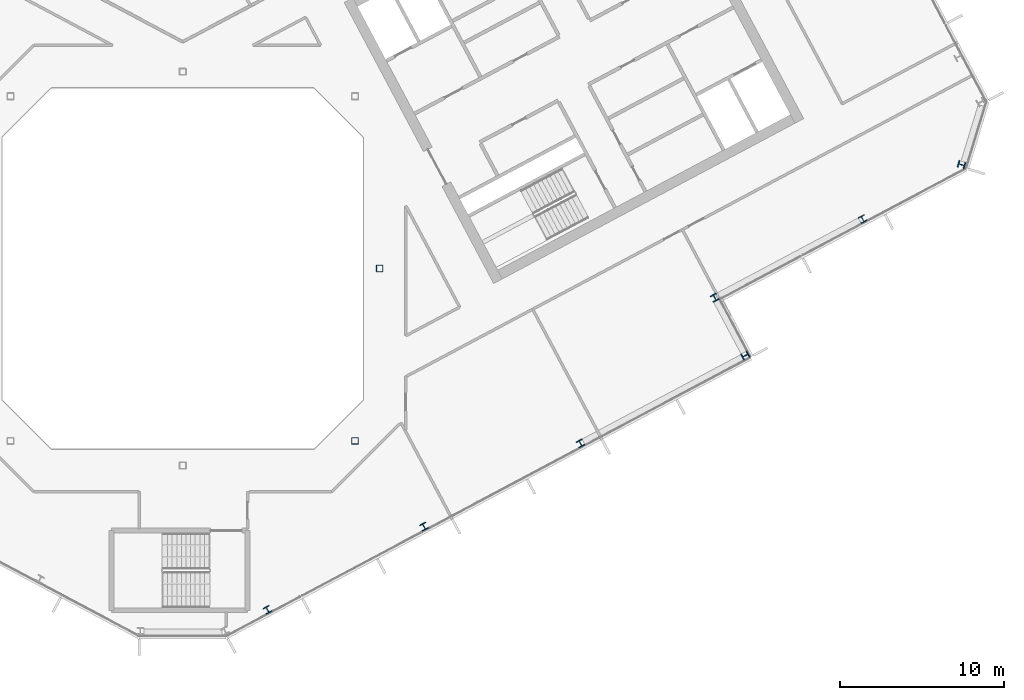
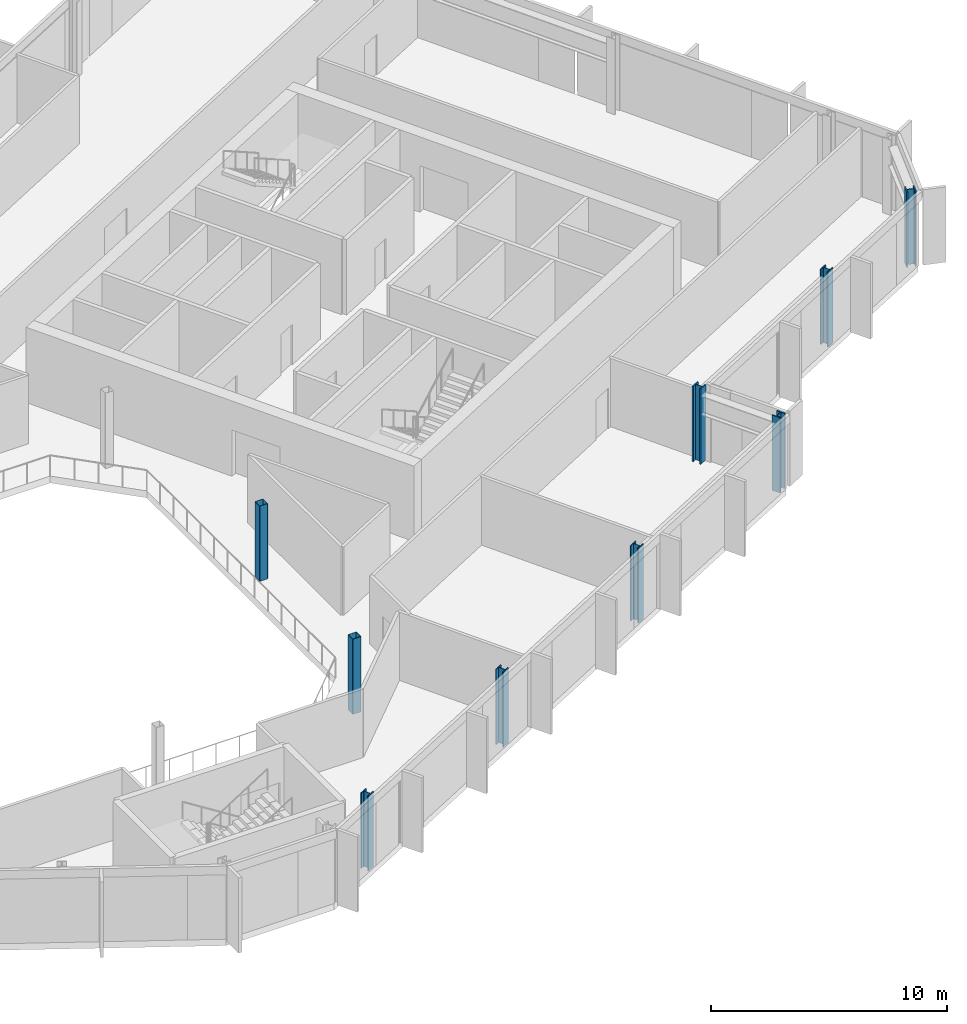
# One storey, part 5 of 27: 9 columns.
"""IFC4 building model written with IfcOpenShell, lengths in metres."""

from ifc_helpers import new_model, si_unit, direction, frame, origin, origin_2d, place, context, subcontext, project, spatial, hollow_rectangle, i_section, extrude, material, material_profile, profile_set, type_object, element, save


model = new_model("IFC4")

# Units and contexts
model_context = context("Model", 3, precision=1e-05, world=origin(), true_north=direction((0.0, 1.0)))
body_context = subcontext(model_context, "Body", "Model", "MODEL_VIEW")
ifc_project = project(units=[si_unit("LENGTHUNIT", "METRE"), si_unit("AREAUNIT", "SQUARE_METRE"), si_unit("VOLUMEUNIT", "CUBIC_METRE"), si_unit("PLANEANGLEUNIT", "RADIAN"), si_unit("MASSUNIT", "GRAM", prefix="KILO")], contexts=[model_context])

# Site, building, storey
site_placement = place(None, origin())
site = spatial("IfcSite", under=ifc_project, at=site_placement, CompositionType="ELEMENT")
building_placement = place(site_placement, origin())
building = spatial("IfcBuilding", under=site, at=building_placement, Name="Cormorant Relay Tower", CompositionType="ELEMENT")
storey_placement = place(building_placement, frame((0.0, 0.0, 224.699951171875)))
storey = spatial("IfcBuildingStorey", under=building, at=storey_placement, Name="L49", CompositionType="ELEMENT", Elevation=224.699951171875)

# Columns
ifc_material_1 = material(Name="Steel ASTM A500 Grade C (Fy 345 MPa)", Category="steel")
ifc_material_profile_1 = material_profile(ifc_material_1, hollow_rectangle(XDim=0.406494140625, YDim=0.406494140625, WallThickness=0.0146484375, InnerFilletRadius=0.00732421875, OuterFilletRadius=0.022216796875, at=origin_2d()), Name="HSS406x406x15")
ifc_profile_set_1 = profile_set([ifc_material_profile_1], Name="Steel ASTM A500 Grade C (Fy 345 MPa)")
column_type_1 = type_object("IfcColumnType", Name="Column HSS406x406x15", PredefinedType="COLUMN", material=ifc_profile_set_1)
for number, where, z_axis, x_axis, name in (
    (1, (10.5, -10.5, 0.0), (0.0, 0.0, 1.0), (1.0, 0.0, 0.0), "Column L49-010"),
    (2, (12.0, 0.0, 0.0), (0.0, 0.0, 1.0), (1.0, 0.0, 0.0), "Column L49-016"),
):
    element("IfcColumn", number, at=place(storey_placement, frame(where, z_axis=z_axis, x_axis=x_axis)), inside=storey, type_object=column_type_1, Name=name, PredefinedType="COLUMN", context=body_context, shape_type="SweptSolid", body=[
        extrude(hollow_rectangle(XDim=0.406494140625, YDim=0.406494140625, WallThickness=0.0146484375, InnerFilletRadius=0.00732421875, OuterFilletRadius=0.022216796875, at=origin_2d()), origin(), (0.0, 0.0, 1.0), 3.900146484375),
    ])
ifc_material_2 = material(Name="Steel ASTM A992 (Fy 345 MPa)", Category="steel")
ifc_material_profile_2 = material_profile(ifc_material_2, i_section(OverallWidth=0.40380859375, OverallDepth=0.406494140625, WebThickness=0.027099609375, FlangeThickness=0.043701171875, FilletRadius=0.01513671875, at=origin_2d()), Name="W360x347")
ifc_profile_set_2 = profile_set([ifc_material_profile_2], Name="Steel ASTM A992 (Fy 345 MPa)")
column_type_2 = type_object("IfcColumnType", Name="Column W360x347", PredefinedType="COLUMN", material=ifc_profile_set_2)
for number, where, z_axis, x_axis, name in (
    (3, (5.1689453125, -20.798095703125, 0.0), (0.0, 0.0, 1.0), (0.882947592859, 0.469471562786, 0.0), "Column L49-003"),
    (4, (14.705078125, -15.72705078125, 0.0), (0.0, 0.0, 1.0), (0.882947592859, 0.469471562786, 0.0), "Column L49-005"),
    (5, (24.240966796875, -10.656982421875, 0.0), (0.0, 0.0, 1.0), (0.882947592859, 0.469471562786, 0.0), "Column L49-008"),
    (6, (41.43408203125, 3.014892578125, 0.0), (0.0, 0.0, 1.0), (0.882947592859, 0.469471562786, 0.0), "Column L49-019"),
):
    element("IfcColumn", number, at=place(storey_placement, frame(where, z_axis=z_axis, x_axis=x_axis)), inside=storey, type_object=column_type_2, Name=name, PredefinedType="COLUMN", context=body_context, shape_type="SweptSolid", body=[
        extrude(i_section(OverallWidth=0.40380859375, OverallDepth=0.406494140625, WebThickness=0.027099609375, FlangeThickness=0.043701171875, FilletRadius=0.01513671875, at=origin_2d()), origin(), (0.0, 0.0, 1.0), 3.900146484375),
    ])
ifc_material_3 = material(Name="Steel ASTM A992 (Fy 345 MPa)", Category="steel")
ifc_material_profile_3 = material_profile(ifc_material_3, i_section(OverallWidth=0.41162109375, OverallDepth=0.434326171875, WebThickness=0.035888671875, FlangeThickness=0.057373046875, FilletRadius=0.01513671875, at=origin_2d()), Name="W360x463")
ifc_profile_set_3 = profile_set([ifc_material_profile_3], Name="Steel ASTM A992 (Fy 345 MPa)")
column_type_3 = type_object("IfcColumnType", Name="Column W360x463", PredefinedType="COLUMN", material=ifc_profile_set_3)
for number, where, z_axis, x_axis, name in (
    (7, (34.284912109375, -5.305908203125, 0.0), (0.0, 0.0, 1.0), (-0.469471562786, 0.882947592859, 0.0), "Column L49-012"),
    (8, (32.4169921875, -1.777099609375, 0.0), (0.0, 0.0, 1.0), (0.882947592859, 0.469471562786, 0.0), "Column L49-014"),
    (9, (47.458984375, 6.325927734375, 0.0), (0.0, 0.0, 1.0), (0.292371704723, 0.956304755963, 0.0), "Column L49-020"),
):
    element("IfcColumn", number, at=place(storey_placement, frame(where, z_axis=z_axis, x_axis=x_axis)), inside=storey, type_object=column_type_3, Name=name, PredefinedType="COLUMN", context=body_context, shape_type="SweptSolid", body=[
        extrude(i_section(OverallWidth=0.41162109375, OverallDepth=0.434326171875, WebThickness=0.035888671875, FlangeThickness=0.057373046875, FilletRadius=0.01513671875, at=origin_2d()), origin(), (0.0, 0.0, 1.0), 3.900146484375),
    ])

save(model, "model.ifc")
